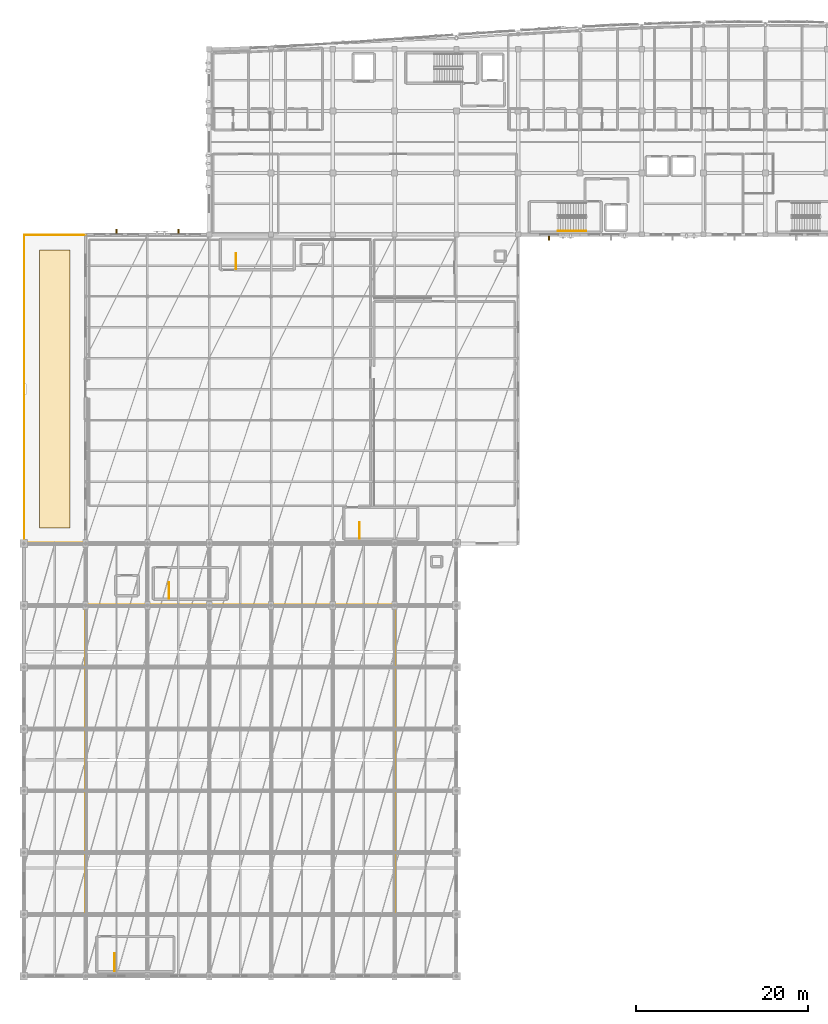
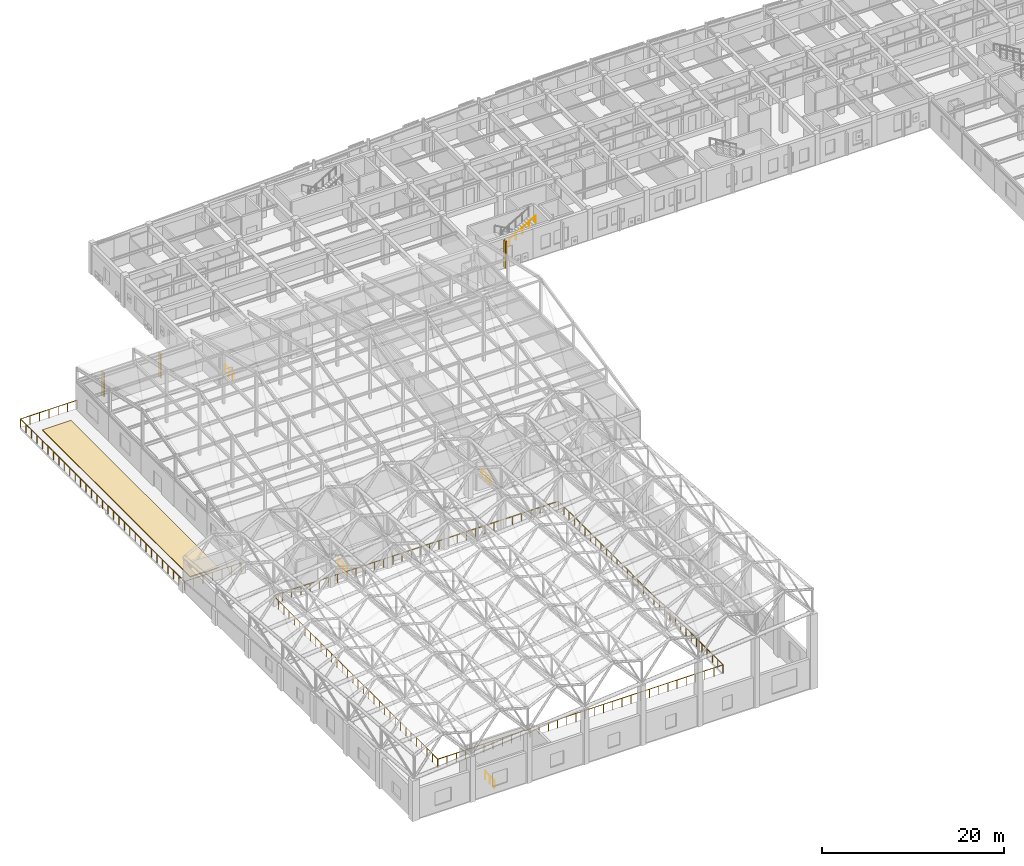
# One storey, part 106 of 113: 8 railings, 3 shading devices, 1 covering.
"""IFC4 building model written with IfcOpenShell, lengths in metres."""

from ifc_helpers import new_model, si_unit, direction, frame, origin, origin_2d, place, context, subcontext, project, spatial, polyline, rectangle, circle, outline, extrude, material, layer, layer_set, type_object, element, save


model = new_model("IFC4")

# Units and contexts
model_context = context("Model", 3, precision=1e-05, world=origin(), true_north=direction((0.0, 1.0)))
body_context = subcontext(model_context, "Body", "Model", "MODEL_VIEW")
ifc_project = project(units=[si_unit("LENGTHUNIT", "METRE"), si_unit("AREAUNIT", "SQUARE_METRE"), si_unit("VOLUMEUNIT", "CUBIC_METRE"), si_unit("PLANEANGLEUNIT", "RADIAN"), si_unit("MASSUNIT", "GRAM", prefix="KILO")], contexts=[model_context])

# Site, building, storey
site_placement = place(None, origin())
site = spatial("IfcSite", under=ifc_project, at=site_placement, CompositionType="ELEMENT")
building_placement = place(site_placement, origin())
building = spatial("IfcBuilding", under=site, at=building_placement, Name="Carrowvane Square Congress Hotel", CompositionType="ELEMENT")
storey_placement = place(building_placement, frame((0.0, 0.0, 15.0)))
storey = spatial("IfcBuildingStorey", under=building, at=storey_placement, Name="L03", CompositionType="ELEMENT", Elevation=15.0)

# Covering
ifc_material_1 = material(Name="Extensive sedum green roof substrate", Category="earth")
ifc_layer_1 = layer(ifc_material_1, 0.1201171875)
ifc_layer_set_1 = layer_set([ifc_layer_1], Name="Extensive sedum green roof substrate")
covering_type = type_object("IfcCoveringType", Name="COV-ROOF-SEDUM", PredefinedType="ROOFING", material=ifc_layer_set_1)
covering_placement = place(storey_placement, origin())
element("IfcCovering", 1, at=covering_placement, inside=storey, type_object=covering_type, Name="L03 sedum green roof planting bed 2", PredefinedType="ROOFING", context=body_context, shape_type="SweptSolid", body=[
    extrude(outline(polyline([(13.39990234375, 57.60009765625), (13.39990234375, 90.0), (17.0, 90.0), (17.0, 57.60009765625), (13.39990234375, 57.60009765625)])), origin(), (0.0, 0.0, 1.0), 0.1201171875),
])

# Railings
ifc_material_2 = material(Name="Stainless steel 316", Category="steel")
ifc_layer_2 = layer(ifc_material_2, 0.06494140625)
ifc_layer_set_2 = layer_set([ifc_layer_2], Name="Stainless steel 316")
railing_type_1 = type_object("IfcRailingType", Name="RLG-BAL-STL1150", PredefinedType="BALUSTRADE", material=ifc_layer_set_2)
railing_1_placement = place(storey_placement, frame((18.800048828125, 55.85009765625, 0.0)))
element("IfcRailing", 2, at=railing_1_placement, inside=storey, type_object=railing_type_1, Name="L03 protective terrace balustrade TER-V4-L03", PredefinedType="BALUSTRADE", context=body_context, shape_type="SweptSolid", body=[
    extrude(circle(Radius=0.02392578125, at=origin_2d()), frame((0.0, 0.0, 1.1259765625), z_axis=(-1.0, 0.0, 0.0), x_axis=(0.0, -1.0, 0.0)), (0.0, 0.0, 1.0), 7.150146484375),
    extrude(circle(Radius=0.02392578125, at=origin_2d()), frame((-7.150146484375, 0.0, 1.1259765625), z_axis=(0.0, 1.0, 0.0), x_axis=(-1.0, 0.0, 0.0)), (0.0, 0.0, 1.0), 35.89990234375),
    extrude(circle(Radius=0.02392578125, at=origin_2d()), frame((-7.150146484375, 35.89990234375, 1.1259765625), z_axis=(1.0, 0.0, 0.0), x_axis=(0.0, 1.0, 0.0)), (0.0, 0.0, 1.0), 7.150146484375),
    extrude(circle(Radius=0.02099609375, at=origin_2d()), origin(), (0.0, 0.0, 1.0), 1.101806640625),
    extrude(circle(Radius=0.02099609375, at=origin_2d()), frame((-1.191650390625, 0.0, 0.0)), (0.0, 0.0, 1.0), 1.101806640625),
    extrude(circle(Radius=0.02099609375, at=origin_2d()), frame((-2.38330078125, 0.0, 0.0)), (0.0, 0.0, 1.0), 1.101806640625),
    extrude(circle(Radius=0.02099609375, at=origin_2d()), frame((-3.5751953125, 0.0, 0.0)), (0.0, 0.0, 1.0), 1.101806640625),
    extrude(circle(Radius=0.02099609375, at=origin_2d()), frame((-4.766845703125, 0.0, 0.0)), (0.0, 0.0, 1.0), 1.101806640625),
    extrude(circle(Radius=0.02099609375, at=origin_2d()), frame((-5.95849609375, 0.0, 0.0)), (0.0, 0.0, 1.0), 1.101806640625),
    extrude(circle(Radius=0.02099609375, at=origin_2d()), frame((-7.150146484375, 0.0, 0.0)), (0.0, 0.0, 1.0), 1.101806640625),
    extrude(circle(Radius=0.02099609375, at=origin_2d()), frame((-7.150146484375, 1.19677734375, 0.0)), (0.0, 0.0, 1.0), 1.101806640625),
    extrude(circle(Radius=0.02099609375, at=origin_2d()), frame((-7.150146484375, 2.393310546875, 0.0)), (0.0, 0.0, 1.0), 1.101806640625),
    extrude(circle(Radius=0.02099609375, at=origin_2d()), frame((-7.150146484375, 3.590087890625, 0.0)), (0.0, 0.0, 1.0), 1.101806640625),
    extrude(circle(Radius=0.02099609375, at=origin_2d()), frame((-7.150146484375, 4.78662109375, 0.0)), (0.0, 0.0, 1.0), 1.101806640625),
    extrude(circle(Radius=0.02099609375, at=origin_2d()), frame((-7.150146484375, 5.9833984375, 0.0)), (0.0, 0.0, 1.0), 1.101806640625),
    extrude(circle(Radius=0.02099609375, at=origin_2d()), frame((-7.150146484375, 7.179931640625, 0.0)), (0.0, 0.0, 1.0), 1.101806640625),
    extrude(circle(Radius=0.02099609375, at=origin_2d()), frame((-7.150146484375, 8.376708984375, 0.0)), (0.0, 0.0, 1.0), 1.101806640625),
    extrude(circle(Radius=0.02099609375, at=origin_2d()), frame((-7.150146484375, 9.5732421875, 0.0)), (0.0, 0.0, 1.0), 1.101806640625),
    extrude(circle(Radius=0.02099609375, at=origin_2d()), frame((-7.150146484375, 10.77001953125, 0.0)), (0.0, 0.0, 1.0), 1.101806640625),
    extrude(circle(Radius=0.02099609375, at=origin_2d()), frame((-7.150146484375, 11.966552734375, 0.0)), (0.0, 0.0, 1.0), 1.101806640625),
    extrude(circle(Radius=0.02099609375, at=origin_2d()), frame((-7.150146484375, 13.163330078125, 0.0)), (0.0, 0.0, 1.0), 1.101806640625),
    extrude(circle(Radius=0.02099609375, at=origin_2d()), frame((-7.150146484375, 14.35986328125, 0.0)), (0.0, 0.0, 1.0), 1.101806640625),
    extrude(circle(Radius=0.02099609375, at=origin_2d()), frame((-7.150146484375, 15.556640625, 0.0)), (0.0, 0.0, 1.0), 1.101806640625),
    extrude(circle(Radius=0.02099609375, at=origin_2d()), frame((-7.150146484375, 16.753173828125, 0.0)), (0.0, 0.0, 1.0), 1.101806640625),
    extrude(circle(Radius=0.02099609375, at=origin_2d()), frame((-7.150146484375, 17.949951171875, 0.0)), (0.0, 0.0, 1.0), 1.101806640625),
    extrude(circle(Radius=0.02099609375, at=origin_2d()), frame((-7.150146484375, 19.146728515625, 0.0)), (0.0, 0.0, 1.0), 1.101806640625),
    extrude(circle(Radius=0.02099609375, at=origin_2d()), frame((-7.150146484375, 20.34326171875, 0.0)), (0.0, 0.0, 1.0), 1.101806640625),
    extrude(circle(Radius=0.02099609375, at=origin_2d()), frame((-7.150146484375, 21.5400390625, 0.0)), (0.0, 0.0, 1.0), 1.101806640625),
    extrude(circle(Radius=0.02099609375, at=origin_2d()), frame((-7.150146484375, 22.736572265625, 0.0)), (0.0, 0.0, 1.0), 1.101806640625),
    extrude(circle(Radius=0.02099609375, at=origin_2d()), frame((-7.150146484375, 23.933349609375, 0.0)), (0.0, 0.0, 1.0), 1.101806640625),
    extrude(circle(Radius=0.02099609375, at=origin_2d()), frame((-7.150146484375, 25.1298828125, 0.0)), (0.0, 0.0, 1.0), 1.101806640625),
    extrude(circle(Radius=0.02099609375, at=origin_2d()), frame((-7.150146484375, 26.32666015625, 0.0)), (0.0, 0.0, 1.0), 1.101806640625),
    extrude(circle(Radius=0.02099609375, at=origin_2d()), frame((-7.150146484375, 27.523193359375, 0.0)), (0.0, 0.0, 1.0), 1.101806640625),
    extrude(circle(Radius=0.02099609375, at=origin_2d()), frame((-7.150146484375, 28.719970703125, 0.0)), (0.0, 0.0, 1.0), 1.101806640625),
    extrude(circle(Radius=0.02099609375, at=origin_2d()), frame((-7.150146484375, 29.91650390625, 0.0)), (0.0, 0.0, 1.0), 1.101806640625),
    extrude(circle(Radius=0.02099609375, at=origin_2d()), frame((-7.150146484375, 31.11328125, 0.0)), (0.0, 0.0, 1.0), 1.101806640625),
    extrude(circle(Radius=0.02099609375, at=origin_2d()), frame((-7.150146484375, 32.309814453125, 0.0)), (0.0, 0.0, 1.0), 1.101806640625),
    extrude(circle(Radius=0.02099609375, at=origin_2d()), frame((-7.150146484375, 33.506591796875, 0.0)), (0.0, 0.0, 1.0), 1.101806640625),
    extrude(circle(Radius=0.02099609375, at=origin_2d()), frame((-7.150146484375, 34.703125, 0.0)), (0.0, 0.0, 1.0), 1.101806640625),
    extrude(circle(Radius=0.02099609375, at=origin_2d()), frame((-7.150146484375, 35.89990234375, 0.0)), (0.0, 0.0, 1.0), 1.101806640625),
    extrude(circle(Radius=0.02099609375, at=origin_2d()), frame((-5.95849609375, 35.89990234375, 0.0)), (0.0, 0.0, 1.0), 1.101806640625),
    extrude(circle(Radius=0.02099609375, at=origin_2d()), frame((-4.766845703125, 35.89990234375, 0.0)), (0.0, 0.0, 1.0), 1.101806640625),
    extrude(circle(Radius=0.02099609375, at=origin_2d()), frame((-3.5751953125, 35.89990234375, 0.0)), (0.0, 0.0, 1.0), 1.101806640625),
    extrude(circle(Radius=0.02099609375, at=origin_2d()), frame((-2.38330078125, 35.89990234375, 0.0)), (0.0, 0.0, 1.0), 1.101806640625),
    extrude(circle(Radius=0.02099609375, at=origin_2d()), frame((-1.191650390625, 35.89990234375, 0.0)), (0.0, 0.0, 1.0), 1.101806640625),
    extrude(circle(Radius=0.02099609375, at=origin_2d()), frame((0.0, 35.89990234375, 0.0)), (0.0, 0.0, 1.0), 1.101806640625),
])
railing_2_placement = place(storey_placement, frame((18.75, 12.574951171875, 0.0)))
element("IfcRailing", 3, at=railing_2_placement, inside=storey, type_object=railing_type_1, Name="L03 atrium void guard balustrade RLG-VOID-L03-V1 A", PredefinedType="BALUSTRADE", context=body_context, shape_type="SweptSolid", body=[
    extrude(circle(Radius=0.02392578125, at=origin_2d()), frame((0.0, 0.0, 1.1259765625), z_axis=(0.0, -1.0, 0.0), x_axis=(1.0, 0.0, 0.0)), (0.0, 0.0, 1.0), 0.02490234375),
    extrude(circle(Radius=0.02392578125, at=origin_2d()), frame((0.0, -0.02490234375, 1.1259765625), z_axis=(1.0, 0.0, 0.0), x_axis=(0.0, 1.0, 0.0)), (0.0, 0.0, 1.0), 36.10009765625),
    extrude(circle(Radius=0.02392578125, at=origin_2d()), frame((36.10009765625, -0.02490234375, 1.1259765625), z_axis=(0.0, 1.0, 0.0), x_axis=(-1.0, 0.0, 0.0)), (0.0, 0.0, 1.0), 36.074951171875),
    extrude(circle(Radius=0.02099609375, at=origin_2d()), origin(), (0.0, 0.0, 1.0), 1.101806640625),
    extrude(circle(Radius=0.02099609375, at=origin_2d()), frame((0.0, -0.02490234375, 0.0)), (0.0, 0.0, 1.0), 1.101806640625),
    extrude(circle(Radius=0.02099609375, at=origin_2d()), frame((1.16455078125, -0.02490234375, 0.0)), (0.0, 0.0, 1.0), 1.101806640625),
    extrude(circle(Radius=0.02099609375, at=origin_2d()), frame((2.3291015625, -0.02490234375, 0.0)), (0.0, 0.0, 1.0), 1.101806640625),
    extrude(circle(Radius=0.02099609375, at=origin_2d()), frame((3.49365234375, -0.02490234375, 0.0)), (0.0, 0.0, 1.0), 1.101806640625),
    extrude(circle(Radius=0.02099609375, at=origin_2d()), frame((4.657958984375, -0.02490234375, 0.0)), (0.0, 0.0, 1.0), 1.101806640625),
    extrude(circle(Radius=0.02099609375, at=origin_2d()), frame((5.822509765625, -0.02490234375, 0.0)), (0.0, 0.0, 1.0), 1.101806640625),
    extrude(circle(Radius=0.02099609375, at=origin_2d()), frame((6.987060546875, -0.02490234375, 0.0)), (0.0, 0.0, 1.0), 1.101806640625),
    extrude(circle(Radius=0.02099609375, at=origin_2d()), frame((8.151611328125, -0.02490234375, 0.0)), (0.0, 0.0, 1.0), 1.101806640625),
    extrude(circle(Radius=0.02099609375, at=origin_2d()), frame((9.316162109375, -0.02490234375, 0.0)), (0.0, 0.0, 1.0), 1.101806640625),
    extrude(circle(Radius=0.02099609375, at=origin_2d()), frame((10.480712890625, -0.02490234375, 0.0)), (0.0, 0.0, 1.0), 1.101806640625),
    extrude(circle(Radius=0.02099609375, at=origin_2d()), frame((11.645263671875, -0.02490234375, 0.0)), (0.0, 0.0, 1.0), 1.101806640625),
    extrude(circle(Radius=0.02099609375, at=origin_2d()), frame((12.809814453125, -0.02490234375, 0.0)), (0.0, 0.0, 1.0), 1.101806640625),
    extrude(circle(Radius=0.02099609375, at=origin_2d()), frame((13.97412109375, -0.02490234375, 0.0)), (0.0, 0.0, 1.0), 1.101806640625),
    extrude(circle(Radius=0.02099609375, at=origin_2d()), frame((15.138671875, -0.02490234375, 0.0)), (0.0, 0.0, 1.0), 1.101806640625),
    extrude(circle(Radius=0.02099609375, at=origin_2d()), frame((16.30322265625, -0.02490234375, 0.0)), (0.0, 0.0, 1.0), 1.101806640625),
    extrude(circle(Radius=0.02099609375, at=origin_2d()), frame((17.4677734375, -0.02490234375, 0.0)), (0.0, 0.0, 1.0), 1.101806640625),
    extrude(circle(Radius=0.02099609375, at=origin_2d()), frame((18.63232421875, -0.02490234375, 0.0)), (0.0, 0.0, 1.0), 1.101806640625),
    extrude(circle(Radius=0.02099609375, at=origin_2d()), frame((19.796875, -0.02490234375, 0.0)), (0.0, 0.0, 1.0), 1.101806640625),
    extrude(circle(Radius=0.02099609375, at=origin_2d()), frame((20.96142578125, -0.02490234375, 0.0)), (0.0, 0.0, 1.0), 1.101806640625),
    extrude(circle(Radius=0.02099609375, at=origin_2d()), frame((22.1259765625, -0.02490234375, 0.0)), (0.0, 0.0, 1.0), 1.101806640625),
    extrude(circle(Radius=0.02099609375, at=origin_2d()), frame((23.290283203125, -0.02490234375, 0.0)), (0.0, 0.0, 1.0), 1.101806640625),
    extrude(circle(Radius=0.02099609375, at=origin_2d()), frame((24.454833984375, -0.02490234375, 0.0)), (0.0, 0.0, 1.0), 1.101806640625),
    extrude(circle(Radius=0.02099609375, at=origin_2d()), frame((25.619384765625, -0.02490234375, 0.0)), (0.0, 0.0, 1.0), 1.101806640625),
    extrude(circle(Radius=0.02099609375, at=origin_2d()), frame((26.783935546875, -0.02490234375, 0.0)), (0.0, 0.0, 1.0), 1.101806640625),
    extrude(circle(Radius=0.02099609375, at=origin_2d()), frame((27.948486328125, -0.02490234375, 0.0)), (0.0, 0.0, 1.0), 1.101806640625),
    extrude(circle(Radius=0.02099609375, at=origin_2d()), frame((29.113037109375, -0.02490234375, 0.0)), (0.0, 0.0, 1.0), 1.101806640625),
    extrude(circle(Radius=0.02099609375, at=origin_2d()), frame((30.277587890625, -0.02490234375, 0.0)), (0.0, 0.0, 1.0), 1.101806640625),
    extrude(circle(Radius=0.02099609375, at=origin_2d()), frame((31.442138671875, -0.02490234375, 0.0)), (0.0, 0.0, 1.0), 1.101806640625),
    extrude(circle(Radius=0.02099609375, at=origin_2d()), frame((32.6064453125, -0.02490234375, 0.0)), (0.0, 0.0, 1.0), 1.101806640625),
    extrude(circle(Radius=0.02099609375, at=origin_2d()), frame((33.77099609375, -0.02490234375, 0.0)), (0.0, 0.0, 1.0), 1.101806640625),
    extrude(circle(Radius=0.02099609375, at=origin_2d()), frame((34.935546875, -0.02490234375, 0.0)), (0.0, 0.0, 1.0), 1.101806640625),
    extrude(circle(Radius=0.02099609375, at=origin_2d()), frame((36.10009765625, -0.02490234375, 0.0)), (0.0, 0.0, 1.0), 1.101806640625),
    extrude(circle(Radius=0.02099609375, at=origin_2d()), frame((36.10009765625, 1.138916015625, 0.0)), (0.0, 0.0, 1.0), 1.101806640625),
    extrude(circle(Radius=0.02099609375, at=origin_2d()), frame((36.10009765625, 2.302490234375, 0.0)), (0.0, 0.0, 1.0), 1.101806640625),
    extrude(circle(Radius=0.02099609375, at=origin_2d()), frame((36.10009765625, 3.46630859375, 0.0)), (0.0, 0.0, 1.0), 1.101806640625),
    extrude(circle(Radius=0.02099609375, at=origin_2d()), frame((36.10009765625, 4.6298828125, 0.0)), (0.0, 0.0, 1.0), 1.101806640625),
    extrude(circle(Radius=0.02099609375, at=origin_2d()), frame((36.10009765625, 5.793701171875, 0.0)), (0.0, 0.0, 1.0), 1.101806640625),
    extrude(circle(Radius=0.02099609375, at=origin_2d()), frame((36.10009765625, 6.957275390625, 0.0)), (0.0, 0.0, 1.0), 1.101806640625),
    extrude(circle(Radius=0.02099609375, at=origin_2d()), frame((36.10009765625, 8.12109375, 0.0)), (0.0, 0.0, 1.0), 1.101806640625),
    extrude(circle(Radius=0.02099609375, at=origin_2d()), frame((36.10009765625, 9.28466796875, 0.0)), (0.0, 0.0, 1.0), 1.101806640625),
    extrude(circle(Radius=0.02099609375, at=origin_2d()), frame((36.10009765625, 10.448486328125, 0.0)), (0.0, 0.0, 1.0), 1.101806640625),
    extrude(circle(Radius=0.02099609375, at=origin_2d()), frame((36.10009765625, 11.612060546875, 0.0)), (0.0, 0.0, 1.0), 1.101806640625),
    extrude(circle(Radius=0.02099609375, at=origin_2d()), frame((36.10009765625, 12.77587890625, 0.0)), (0.0, 0.0, 1.0), 1.101806640625),
    extrude(circle(Radius=0.02099609375, at=origin_2d()), frame((36.10009765625, 13.939697265625, 0.0)), (0.0, 0.0, 1.0), 1.101806640625),
    extrude(circle(Radius=0.02099609375, at=origin_2d()), frame((36.10009765625, 15.103271484375, 0.0)), (0.0, 0.0, 1.0), 1.101806640625),
    extrude(circle(Radius=0.02099609375, at=origin_2d()), frame((36.10009765625, 16.26708984375, 0.0)), (0.0, 0.0, 1.0), 1.101806640625),
    extrude(circle(Radius=0.02099609375, at=origin_2d()), frame((36.10009765625, 17.4306640625, 0.0)), (0.0, 0.0, 1.0), 1.101806640625),
    extrude(circle(Radius=0.02099609375, at=origin_2d()), frame((36.10009765625, 18.594482421875, 0.0)), (0.0, 0.0, 1.0), 1.101806640625),
    extrude(circle(Radius=0.02099609375, at=origin_2d()), frame((36.10009765625, 19.758056640625, 0.0)), (0.0, 0.0, 1.0), 1.101806640625),
    extrude(circle(Radius=0.02099609375, at=origin_2d()), frame((36.10009765625, 20.921875, 0.0)), (0.0, 0.0, 1.0), 1.101806640625),
    extrude(circle(Radius=0.02099609375, at=origin_2d()), frame((36.10009765625, 22.08544921875, 0.0)), (0.0, 0.0, 1.0), 1.101806640625),
    extrude(circle(Radius=0.02099609375, at=origin_2d()), frame((36.10009765625, 23.249267578125, 0.0)), (0.0, 0.0, 1.0), 1.101806640625),
    extrude(circle(Radius=0.02099609375, at=origin_2d()), frame((36.10009765625, 24.4130859375, 0.0)), (0.0, 0.0, 1.0), 1.101806640625),
    extrude(circle(Radius=0.02099609375, at=origin_2d()), frame((36.10009765625, 25.57666015625, 0.0)), (0.0, 0.0, 1.0), 1.101806640625),
    extrude(circle(Radius=0.02099609375, at=origin_2d()), frame((36.10009765625, 26.740478515625, 0.0)), (0.0, 0.0, 1.0), 1.101806640625),
    extrude(circle(Radius=0.02099609375, at=origin_2d()), frame((36.10009765625, 27.904052734375, 0.0)), (0.0, 0.0, 1.0), 1.101806640625),
    extrude(circle(Radius=0.02099609375, at=origin_2d()), frame((36.10009765625, 29.06787109375, 0.0)), (0.0, 0.0, 1.0), 1.101806640625),
    extrude(circle(Radius=0.02099609375, at=origin_2d()), frame((36.10009765625, 30.2314453125, 0.0)), (0.0, 0.0, 1.0), 1.101806640625),
    extrude(circle(Radius=0.02099609375, at=origin_2d()), frame((36.10009765625, 31.395263671875, 0.0)), (0.0, 0.0, 1.0), 1.101806640625),
    extrude(circle(Radius=0.02099609375, at=origin_2d()), frame((36.10009765625, 32.558837890625, 0.0)), (0.0, 0.0, 1.0), 1.101806640625),
    extrude(circle(Radius=0.02099609375, at=origin_2d()), frame((36.10009765625, 33.72265625, 0.0)), (0.0, 0.0, 1.0), 1.101806640625),
    extrude(circle(Radius=0.02099609375, at=origin_2d()), frame((36.10009765625, 34.88623046875, 0.0)), (0.0, 0.0, 1.0), 1.101806640625),
    extrude(circle(Radius=0.02099609375, at=origin_2d()), frame((36.10009765625, 36.050048828125, 0.0)), (0.0, 0.0, 1.0), 1.101806640625),
])
railing_3_placement = place(storey_placement, frame((54.85009765625, 48.64990234375, 0.0)))
element("IfcRailing", 4, at=railing_3_placement, inside=storey, type_object=railing_type_1, Name="L03 atrium void guard balustrade RLG-VOID-L03-V1 B", PredefinedType="BALUSTRADE", context=body_context, shape_type="SweptSolid", body=[
    extrude(circle(Radius=0.02392578125, at=origin_2d()), frame((0.0, 0.0, 1.1259765625), z_axis=(-1.0, 0.0, 0.0), x_axis=(0.0, -1.0, 0.0)), (0.0, 0.0, 1.0), 36.10009765625),
    extrude(circle(Radius=0.02392578125, at=origin_2d()), frame((-36.10009765625, 0.0, 1.1259765625), z_axis=(0.0, -1.0, 0.0), x_axis=(1.0, 0.0, 0.0)), (0.0, 0.0, 1.0), 36.044921875),
    extrude(circle(Radius=0.02099609375, at=origin_2d()), origin(), (0.0, 0.0, 1.0), 1.101806640625),
    extrude(circle(Radius=0.02099609375, at=origin_2d()), frame((-1.16455078125, 0.0, 0.0)), (0.0, 0.0, 1.0), 1.101806640625),
    extrude(circle(Radius=0.02099609375, at=origin_2d()), frame((-2.3291015625, 0.0, 0.0)), (0.0, 0.0, 1.0), 1.101806640625),
    extrude(circle(Radius=0.02099609375, at=origin_2d()), frame((-3.49365234375, 0.0, 0.0)), (0.0, 0.0, 1.0), 1.101806640625),
    extrude(circle(Radius=0.02099609375, at=origin_2d()), frame((-4.657958984375, 0.0, 0.0)), (0.0, 0.0, 1.0), 1.101806640625),
    extrude(circle(Radius=0.02099609375, at=origin_2d()), frame((-5.822509765625, 0.0, 0.0)), (0.0, 0.0, 1.0), 1.101806640625),
    extrude(circle(Radius=0.02099609375, at=origin_2d()), frame((-6.987060546875, 0.0, 0.0)), (0.0, 0.0, 1.0), 1.101806640625),
    extrude(circle(Radius=0.02099609375, at=origin_2d()), frame((-8.151611328125, 0.0, 0.0)), (0.0, 0.0, 1.0), 1.101806640625),
    extrude(circle(Radius=0.02099609375, at=origin_2d()), frame((-9.316162109375, 0.0, 0.0)), (0.0, 0.0, 1.0), 1.101806640625),
    extrude(circle(Radius=0.02099609375, at=origin_2d()), frame((-10.480712890625, 0.0, 0.0)), (0.0, 0.0, 1.0), 1.101806640625),
    extrude(circle(Radius=0.02099609375, at=origin_2d()), frame((-11.645263671875, 0.0, 0.0)), (0.0, 0.0, 1.0), 1.101806640625),
    extrude(circle(Radius=0.02099609375, at=origin_2d()), frame((-12.809814453125, 0.0, 0.0)), (0.0, 0.0, 1.0), 1.101806640625),
    extrude(circle(Radius=0.02099609375, at=origin_2d()), frame((-13.97412109375, 0.0, 0.0)), (0.0, 0.0, 1.0), 1.101806640625),
    extrude(circle(Radius=0.02099609375, at=origin_2d()), frame((-15.138671875, 0.0, 0.0)), (0.0, 0.0, 1.0), 1.101806640625),
    extrude(circle(Radius=0.02099609375, at=origin_2d()), frame((-16.30322265625, 0.0, 0.0)), (0.0, 0.0, 1.0), 1.101806640625),
    extrude(circle(Radius=0.02099609375, at=origin_2d()), frame((-17.4677734375, 0.0, 0.0)), (0.0, 0.0, 1.0), 1.101806640625),
    extrude(circle(Radius=0.02099609375, at=origin_2d()), frame((-18.63232421875, 0.0, 0.0)), (0.0, 0.0, 1.0), 1.101806640625),
    extrude(circle(Radius=0.02099609375, at=origin_2d()), frame((-19.796875, 0.0, 0.0)), (0.0, 0.0, 1.0), 1.101806640625),
    extrude(circle(Radius=0.02099609375, at=origin_2d()), frame((-20.96142578125, 0.0, 0.0)), (0.0, 0.0, 1.0), 1.101806640625),
    extrude(circle(Radius=0.02099609375, at=origin_2d()), frame((-22.1259765625, 0.0, 0.0)), (0.0, 0.0, 1.0), 1.101806640625),
    extrude(circle(Radius=0.02099609375, at=origin_2d()), frame((-23.290283203125, 0.0, 0.0)), (0.0, 0.0, 1.0), 1.101806640625),
    extrude(circle(Radius=0.02099609375, at=origin_2d()), frame((-24.454833984375, 0.0, 0.0)), (0.0, 0.0, 1.0), 1.101806640625),
    extrude(circle(Radius=0.02099609375, at=origin_2d()), frame((-25.619384765625, 0.0, 0.0)), (0.0, 0.0, 1.0), 1.101806640625),
    extrude(circle(Radius=0.02099609375, at=origin_2d()), frame((-26.783935546875, 0.0, 0.0)), (0.0, 0.0, 1.0), 1.101806640625),
    extrude(circle(Radius=0.02099609375, at=origin_2d()), frame((-27.948486328125, 0.0, 0.0)), (0.0, 0.0, 1.0), 1.101806640625),
    extrude(circle(Radius=0.02099609375, at=origin_2d()), frame((-29.113037109375, 0.0, 0.0)), (0.0, 0.0, 1.0), 1.101806640625),
    extrude(circle(Radius=0.02099609375, at=origin_2d()), frame((-30.277587890625, 0.0, 0.0)), (0.0, 0.0, 1.0), 1.101806640625),
    extrude(circle(Radius=0.02099609375, at=origin_2d()), frame((-31.442138671875, 0.0, 0.0)), (0.0, 0.0, 1.0), 1.101806640625),
    extrude(circle(Radius=0.02099609375, at=origin_2d()), frame((-32.6064453125, 0.0, 0.0)), (0.0, 0.0, 1.0), 1.101806640625),
    extrude(circle(Radius=0.02099609375, at=origin_2d()), frame((-33.77099609375, 0.0, 0.0)), (0.0, 0.0, 1.0), 1.101806640625),
    extrude(circle(Radius=0.02099609375, at=origin_2d()), frame((-34.935546875, 0.0, 0.0)), (0.0, 0.0, 1.0), 1.101806640625),
    extrude(circle(Radius=0.02099609375, at=origin_2d()), frame((-36.10009765625, 0.0, 0.0)), (0.0, 0.0, 1.0), 1.101806640625),
    extrude(circle(Radius=0.02099609375, at=origin_2d()), frame((-36.10009765625, -1.162841796875, 0.0)), (0.0, 0.0, 1.0), 1.101806640625),
    extrude(circle(Radius=0.02099609375, at=origin_2d()), frame((-36.10009765625, -2.325439453125, 0.0)), (0.0, 0.0, 1.0), 1.101806640625),
    extrude(circle(Radius=0.02099609375, at=origin_2d()), frame((-36.10009765625, -3.48828125, 0.0)), (0.0, 0.0, 1.0), 1.101806640625),
    extrude(circle(Radius=0.02099609375, at=origin_2d()), frame((-36.10009765625, -4.65087890625, 0.0)), (0.0, 0.0, 1.0), 1.101806640625),
    extrude(circle(Radius=0.02099609375, at=origin_2d()), frame((-36.10009765625, -5.813720703125, 0.0)), (0.0, 0.0, 1.0), 1.101806640625),
    extrude(circle(Radius=0.02099609375, at=origin_2d()), frame((-36.10009765625, -6.976318359375, 0.0)), (0.0, 0.0, 1.0), 1.101806640625),
    extrude(circle(Radius=0.02099609375, at=origin_2d()), frame((-36.10009765625, -8.13916015625, 0.0)), (0.0, 0.0, 1.0), 1.101806640625),
    extrude(circle(Radius=0.02099609375, at=origin_2d()), frame((-36.10009765625, -9.302001953125, 0.0)), (0.0, 0.0, 1.0), 1.101806640625),
    extrude(circle(Radius=0.02099609375, at=origin_2d()), frame((-36.10009765625, -10.464599609375, 0.0)), (0.0, 0.0, 1.0), 1.101806640625),
    extrude(circle(Radius=0.02099609375, at=origin_2d()), frame((-36.10009765625, -11.62744140625, 0.0)), (0.0, 0.0, 1.0), 1.101806640625),
    extrude(circle(Radius=0.02099609375, at=origin_2d()), frame((-36.10009765625, -12.7900390625, 0.0)), (0.0, 0.0, 1.0), 1.101806640625),
    extrude(circle(Radius=0.02099609375, at=origin_2d()), frame((-36.10009765625, -13.952880859375, 0.0)), (0.0, 0.0, 1.0), 1.101806640625),
    extrude(circle(Radius=0.02099609375, at=origin_2d()), frame((-36.10009765625, -15.11572265625, 0.0)), (0.0, 0.0, 1.0), 1.101806640625),
    extrude(circle(Radius=0.02099609375, at=origin_2d()), frame((-36.10009765625, -16.2783203125, 0.0)), (0.0, 0.0, 1.0), 1.101806640625),
    extrude(circle(Radius=0.02099609375, at=origin_2d()), frame((-36.10009765625, -17.441162109375, 0.0)), (0.0, 0.0, 1.0), 1.101806640625),
    extrude(circle(Radius=0.02099609375, at=origin_2d()), frame((-36.10009765625, -18.603759765625, 0.0)), (0.0, 0.0, 1.0), 1.101806640625),
    extrude(circle(Radius=0.02099609375, at=origin_2d()), frame((-36.10009765625, -19.7666015625, 0.0)), (0.0, 0.0, 1.0), 1.101806640625),
    extrude(circle(Radius=0.02099609375, at=origin_2d()), frame((-36.10009765625, -20.92919921875, 0.0)), (0.0, 0.0, 1.0), 1.101806640625),
    extrude(circle(Radius=0.02099609375, at=origin_2d()), frame((-36.10009765625, -22.092041015625, 0.0)), (0.0, 0.0, 1.0), 1.101806640625),
    extrude(circle(Radius=0.02099609375, at=origin_2d()), frame((-36.10009765625, -23.2548828125, 0.0)), (0.0, 0.0, 1.0), 1.101806640625),
    extrude(circle(Radius=0.02099609375, at=origin_2d()), frame((-36.10009765625, -24.41748046875, 0.0)), (0.0, 0.0, 1.0), 1.101806640625),
    extrude(circle(Radius=0.02099609375, at=origin_2d()), frame((-36.10009765625, -25.580322265625, 0.0)), (0.0, 0.0, 1.0), 1.101806640625),
    extrude(circle(Radius=0.02099609375, at=origin_2d()), frame((-36.10009765625, -26.742919921875, 0.0)), (0.0, 0.0, 1.0), 1.101806640625),
    extrude(circle(Radius=0.02099609375, at=origin_2d()), frame((-36.10009765625, -27.90576171875, 0.0)), (0.0, 0.0, 1.0), 1.101806640625),
    extrude(circle(Radius=0.02099609375, at=origin_2d()), frame((-36.10009765625, -29.068603515625, 0.0)), (0.0, 0.0, 1.0), 1.101806640625),
    extrude(circle(Radius=0.02099609375, at=origin_2d()), frame((-36.10009765625, -30.231201171875, 0.0)), (0.0, 0.0, 1.0), 1.101806640625),
    extrude(circle(Radius=0.02099609375, at=origin_2d()), frame((-36.10009765625, -31.39404296875, 0.0)), (0.0, 0.0, 1.0), 1.101806640625),
    extrude(circle(Radius=0.02099609375, at=origin_2d()), frame((-36.10009765625, -32.556640625, 0.0)), (0.0, 0.0, 1.0), 1.101806640625),
    extrude(circle(Radius=0.02099609375, at=origin_2d()), frame((-36.10009765625, -33.719482421875, 0.0)), (0.0, 0.0, 1.0), 1.101806640625),
    extrude(circle(Radius=0.02099609375, at=origin_2d()), frame((-36.10009765625, -34.882080078125, 0.0)), (0.0, 0.0, 1.0), 1.101806640625),
    extrude(circle(Radius=0.02099609375, at=origin_2d()), frame((-36.10009765625, -36.044921875, 0.0)), (0.0, 0.0, 1.0), 1.101806640625),
])
ifc_material_3 = material(Name="Stainless steel 316", Category="steel")
ifc_layer_3 = layer(ifc_material_3, 0.048095703125)
ifc_layer_set_3 = layer_set([ifc_layer_3], Name="Stainless steel 316")
railing_type_2 = type_object("IfcRailingType", Name="RLG-HR-900", PredefinedType="HANDRAIL", material=ifc_layer_set_3)
railing_4_placement = place(storey_placement, frame((73.820068359375, 92.25, 2.27490234375)))
element("IfcRailing", 5, at=railing_4_placement, inside=storey, type_object=railing_type_2, Name="L03 ST2 stair handrail 2", PredefinedType="HANDRAIL", context=body_context, shape_type="SweptSolid", body=[
    extrude(circle(Radius=0.02392578125, at=origin_2d()), frame((0.0, 0.0, 0.8759765625), z_axis=(0.863776583165, 0.0, 0.503874998761), x_axis=(0.0, 1.0, 0.0)), (0.0, 0.0, 1.0), 3.820556640625),
    extrude(circle(Radius=0.02099609375, at=origin_2d()), origin(), (0.0, 0.0, 1.0), 0.851806640625),
    extrude(circle(Radius=0.02099609375, at=origin_2d()), frame((0.824951171875, 0.0, 0.481201171875)), (0.0, 0.0, 1.0), 0.851806640625),
    extrude(circle(Radius=0.02099609375, at=origin_2d()), frame((1.64990234375, 0.0, 0.96240234375)), (0.0, 0.0, 1.0), 0.851806640625),
    extrude(circle(Radius=0.02099609375, at=origin_2d()), frame((2.47509765625, 0.0, 1.44384765625)), (0.0, 0.0, 1.0), 0.851806640625),
    extrude(circle(Radius=0.02099609375, at=origin_2d()), frame((3.300048828125, 0.0, 1.925048828125)), (0.0, 0.0, 1.0), 0.851806640625),
])
ifc_material_4 = material(Name="Galvanised steel", Category="steel")
ifc_layer_4 = layer(ifc_material_4, 0.048095703125)
ifc_layer_set_4 = layer_set([ifc_layer_4], Name="Galvanised steel")
railing_type_3 = type_object("IfcRailingType", Name="RLG-STG-1100", PredefinedType="GUARDRAIL", material=ifc_layer_set_4)
railing_5_placement = place(storey_placement, frame((36.300048828125, 87.800048828125, 0.0)))
element("IfcRailing", 6, at=railing_5_placement, inside=storey, type_object=railing_type_3, Name="L03 ST5 top well guard 1", PredefinedType="GUARDRAIL", context=body_context, shape_type="SweptSolid", body=[
    extrude(circle(Radius=0.02392578125, at=origin_2d()), frame((0.0, 0.0, 1.076171875), z_axis=(0.0, 1.0, 0.0), x_axis=(-1.0, 0.0, 0.0)), (0.0, 0.0, 1.0), 1.800048828125),
    extrude(circle(Radius=0.02099609375, at=origin_2d()), origin(), (0.0, 0.0, 1.0), 1.052001953125),
    extrude(circle(Radius=0.02099609375, at=origin_2d()), frame((0.0, 0.89990234375, 0.0)), (0.0, 0.0, 1.0), 1.052001953125),
    extrude(circle(Radius=0.02099609375, at=origin_2d()), frame((0.0, 1.800048828125, 0.0)), (0.0, 0.0, 1.0), 1.052001953125),
])
for number, where, name in (
    (7, (28.530029296875, 49.39990234375, 0.0), "L03 ST6 top well guard 1"),
    (8, (50.72998046875, 56.39990234375, 0.0), "L03 ST7 top well guard 1"),
):
    element("IfcRailing", number, at=place(storey_placement, frame(where)), inside=storey, type_object=railing_type_3, Name=name, PredefinedType="GUARDRAIL", context=body_context, shape_type="SweptSolid", body=[
        extrude(circle(Radius=0.02392578125, at=origin_2d()), frame((0.0, 0.0, 1.076171875), z_axis=(0.0, 1.0, 0.0), x_axis=(-1.0, 0.0, 0.0)), (0.0, 0.0, 1.0), 1.860107421875),
        extrude(circle(Radius=0.02099609375, at=origin_2d()), origin(), (0.0, 0.0, 1.0), 1.052001953125),
        extrude(circle(Radius=0.02099609375, at=origin_2d()), frame((0.0, 0.93017578125, 0.0)), (0.0, 0.0, 1.0), 1.052001953125),
        extrude(circle(Radius=0.02099609375, at=origin_2d()), frame((0.0, 1.860107421875, 0.0)), (0.0, 0.0, 1.0), 1.052001953125),
    ])
railing_6_placement = place(storey_placement, frame((22.14990234375, 6.0, 0.0)))
element("IfcRailing", 9, at=railing_6_placement, inside=storey, type_object=railing_type_3, Name="L03 ST9 top well guard 1", PredefinedType="GUARDRAIL", context=body_context, shape_type="SweptSolid", body=[
    extrude(circle(Radius=0.02392578125, at=origin_2d()), frame((0.0, 0.0, 1.076171875), z_axis=(0.0, 1.0, 0.0), x_axis=(-1.0, 0.0, 0.0)), (0.0, 0.0, 1.0), 2.050048828125),
    extrude(circle(Radius=0.02099609375, at=origin_2d()), origin(), (0.0, 0.0, 1.0), 1.052001953125),
    extrude(circle(Radius=0.02099609375, at=origin_2d()), frame((0.0, 1.02490234375, 0.0)), (0.0, 0.0, 1.0), 1.052001953125),
    extrude(circle(Radius=0.02099609375, at=origin_2d()), frame((0.0, 2.050048828125, 0.0)), (0.0, 0.0, 1.0), 1.052001953125),
])

# Shading devices
ifc_material_5 = material(Name="Portland limestone cladding", Category="masonry")
shading_device_type = type_object("IfcShadingDeviceType", Name="SHD-FIN-LS", PredefinedType="USERDEFINED", material=ifc_material_5)
for number, where, z_axis, x_axis, name in (
    (10, (22.39990234375, 92.2099609375, 0.14990234375), (0.0, 0.0, 1.0), (1.0, 0.0, 0.0), "Limestone brise-soleil fin 15"),
    (11, (29.60009765625, 92.2099609375, 0.14990234375), (0.0, 0.0, 1.0), (1.0, 0.0, 0.0), "Limestone brise-soleil fin 16"),
):
    element("IfcShadingDevice", number, at=place(storey_placement, frame(where, z_axis=z_axis, x_axis=x_axis)), inside=storey, type_object=shading_device_type, Name=name, ObjectType="FIN", PredefinedType="USERDEFINED", context=body_context, shape_type="SweptSolid", body=[
        extrude(rectangle(XDim=0.179931640625, YDim=0.449951171875, at=origin_2d()), origin(), (0.0, 0.0, 1.0), 3.215576171875),
    ])
shading_device_placement = place(storey_placement, frame((72.800048828125, 91.389892578125, 0.14990234375), z_axis=(0.0, 0.0, 1.0), x_axis=(-1.0, 0.0, 0.0)))
element("IfcShadingDevice", 12, at=shading_device_placement, inside=storey, type_object=shading_device_type, Name="Limestone brise-soleil fin 27", ObjectType="FIN", PredefinedType="USERDEFINED", context=body_context, shape_type="SweptSolid", body=[
    extrude(rectangle(XDim=0.179931640625, YDim=0.449951171875, at=origin_2d()), origin(), (0.0, 0.0, 1.0), 3.639892578125),
])

save(model, "model.ifc")
